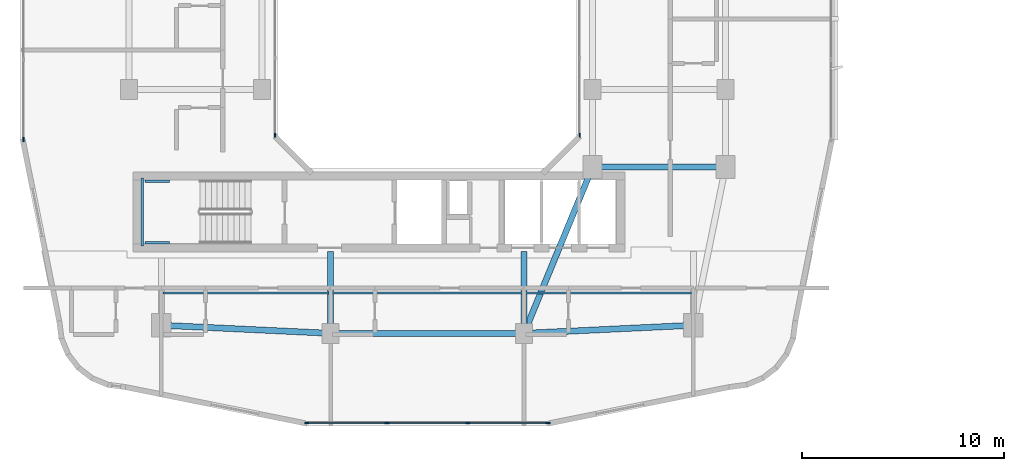
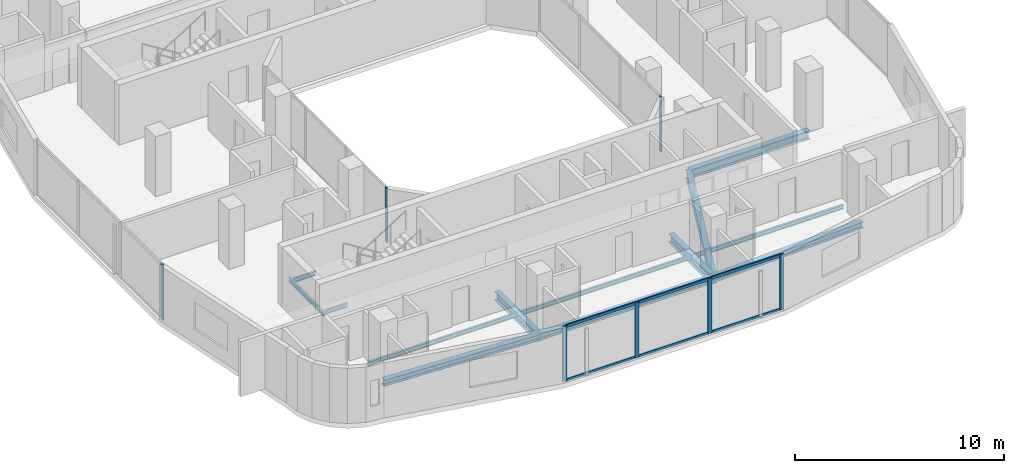
# One storey, part 2 of 26: 13 beams, 13 members, 4 elements without a shape of their own.
"""IFC4 building model written with IfcOpenShell, lengths in metres."""

from ifc_helpers import new_model, si_unit, derived_unit, direction, frame, origin, origin_2d, place, context, subcontext, project, spatial, rectangle, i_section, extrude, material, layer, layer_set, material_profile, profile_set, type_object, element, aggregate, save


model = new_model("IFC4")

# Units and contexts
model_context = context("Model", 3, precision=1e-05, world=origin(), true_north=direction((0.0, 1.0)))
body_context = subcontext(model_context, "Body", "Model", "MODEL_VIEW")
ifc_project = project(units=[si_unit("LENGTHUNIT", "METRE"), si_unit("AREAUNIT", "SQUARE_METRE"), si_unit("VOLUMEUNIT", "CUBIC_METRE"), si_unit("PLANEANGLEUNIT", "RADIAN"), si_unit("MASSUNIT", "GRAM", prefix="KILO"), derived_unit("THERMALTRANSMITTANCEUNIT", [(si_unit("POWERUNIT", "WATT"), 1), (si_unit("LENGTHUNIT", "METRE"), -2), (si_unit("THERMODYNAMICTEMPERATUREUNIT", "KELVIN"), -1)])], contexts=[model_context])

# Site, building, storey
site_placement = place(None, origin())
site = spatial("IfcSite", under=ifc_project, at=site_placement, CompositionType="ELEMENT")
building_placement = place(site_placement, origin())
building = spatial("IfcBuilding", under=site, at=building_placement, Name="Kivonza Crest Hotel", CompositionType="ELEMENT")
storey_placement = place(building_placement, frame((0.0, 0.0, 127.5)))
storey = spatial("IfcBuildingStorey", under=building, at=storey_placement, Name="L34", CompositionType="ELEMENT", Elevation=127.5)

# Beams
ifc_material_1 = material(Name="Steel S355", Category="steel")
ifc_material_profile_1 = material_profile(ifc_material_1, i_section(OverallWidth=0.300048828125, OverallDepth=0.360107421875, WebThickness=0.012451171875, FlangeThickness=0.0224609375, FilletRadius=0.027099609375, at=origin_2d()), Name="HEB 360")
ifc_profile_set_1 = profile_set([ifc_material_profile_1], Name="Steel S355")
beam_type_1 = type_object("IfcBeamType", Name="BM-HEB360", PredefinedType="SPANDREL", material=ifc_profile_set_1)
beam_1_placement = place(storey_placement, frame((16.199951171875, 9.39990234375, -0.4599609375), z_axis=(1.0, 0.0, 0.0), x_axis=(0.0, 1.0, 0.0)))
element("IfcBeam", 1, at=beam_1_placement, inside=storey, type_object=beam_type_1, Name="Tower T1 L34 perimeter spandrel S1-S2", PredefinedType="SPANDREL", context=body_context, shape_type="SweptSolid", body=[
    extrude(i_section(OverallWidth=0.300048828125, OverallDepth=0.360107421875, WebThickness=0.012451171875, FlangeThickness=0.0224609375, FilletRadius=0.027099609375, at=origin_2d()), origin(), (0.0, 0.0, 1.0), 9.60009765625),
])
for number, where, z_axis, x_axis, name in (
    (2, (25.800048828125, 9.39990234375, -0.4599609375), (0.998867283688, 0.047583080799, 0.0), (-0.047583080799, 0.998867283688, 0.0), "Tower T1 L34 perimeter spandrel S2-SE"),
    (3, (7.800048828125, 9.800048828125, -0.4599609375), (0.998867283688, -0.047583080799, 0.0), (0.047583080799, 0.998867283688, 0.0), "Tower T1 L34 perimeter spandrel SW-S1"),
):
    element("IfcBeam", number, at=place(storey_placement, frame(where, z_axis=z_axis, x_axis=x_axis)), inside=storey, type_object=beam_type_1, Name=name, PredefinedType="SPANDREL", context=body_context, shape_type="SweptSolid", body=[
        extrude(i_section(OverallWidth=0.300048828125, OverallDepth=0.360107421875, WebThickness=0.012451171875, FlangeThickness=0.0224609375, FilletRadius=0.027099609375, at=origin_2d()), origin(), (0.0, 0.0, 1.0), 8.409423828125),
    ])
ifc_material_profile_2 = material_profile(ifc_material_1, i_section(OverallWidth=0.300048828125, OverallDepth=0.5, WebThickness=0.014404296875, FlangeThickness=0.028076171875, FilletRadius=0.027099609375, at=origin_2d()), Name="HEB 500")
ifc_profile_set_2 = profile_set([ifc_material_profile_2], Name="Steel S355")
beam_type_2 = type_object("IfcBeamType", Name="BM-HEB500", PredefinedType="BEAM", material=ifc_profile_set_2)
beam_2_placement = place(storey_placement, frame((25.800048828125, 9.39990234375, -0.530029296875), z_axis=(0.381022260404, 0.924565864109, 0.0), x_axis=(-0.924565864109, 0.381022260404, 0.0)))
element("IfcBeam", 4, at=beam_2_placement, inside=storey, type_object=beam_type_2, Name="Tower T1 L34 primary girder S1-TSE", PredefinedType="BEAM", context=body_context, shape_type="SweptSolid", body=[
    extrude(i_section(OverallWidth=0.300048828125, OverallDepth=0.5, WebThickness=0.014404296875, FlangeThickness=0.028076171875, FilletRadius=0.027099609375, at=origin_2d()), origin(), (0.0, 0.0, 1.0), 8.923095703125),
])
beam_3_placement = place(storey_placement, frame((29.199951171875, 17.64990234375, -0.530029296875), z_axis=(1.0, 0.0, 0.0), x_axis=(0.0, 1.0, 0.0)))
element("IfcBeam", 5, at=beam_3_placement, inside=storey, type_object=beam_type_2, Name="Tower T1 L34 primary girder TSE-PSE", PredefinedType="BEAM", context=body_context, shape_type="SweptSolid", body=[
    extrude(i_section(OverallWidth=0.300048828125, OverallDepth=0.5, WebThickness=0.014404296875, FlangeThickness=0.028076171875, FilletRadius=0.027099609375, at=origin_2d()), origin(), (0.0, 0.0, 1.0), 6.60009765625),
])
for number, where, z_axis, x_axis, name in (
    (6, (16.199951171875, 9.39990234375, -0.530029296875), (0.0, 1.0, 0.0), (-1.0, 0.0, 0.0), "Tower T1 L34 radial core girder RS1"),
    (7, (25.800048828125, 9.39990234375, -0.530029296875), (0.0, 1.0, 0.0), (-1.0, 0.0, 0.0), "Tower T1 L34 radial core girder RS2"),
):
    element("IfcBeam", number, at=place(storey_placement, frame(where, z_axis=z_axis, x_axis=x_axis)), inside=storey, type_object=beam_type_2, Name=name, PredefinedType="BEAM", context=body_context, shape_type="SweptSolid", body=[
        extrude(i_section(OverallWidth=0.300048828125, OverallDepth=0.5, WebThickness=0.014404296875, FlangeThickness=0.028076171875, FilletRadius=0.027099609375, at=origin_2d()), origin(), (0.0, 0.0, 1.0), 4.050048828125),
    ])
ifc_material_profile_3 = material_profile(ifc_material_1, i_section(OverallWidth=0.1201171875, OverallDepth=0.239990234375, WebThickness=0.006103515625, FlangeThickness=0.009765625, FilletRadius=0.014892578125, at=origin_2d()), Name="IPE 240")
ifc_profile_set_3 = profile_set([ifc_material_profile_3], Name="Steel S355")
beam_type_3 = type_object("IfcBeamType", Name="BM-IPE240", PredefinedType="JOIST", material=ifc_profile_set_3)
beam_4_placement = place(storey_placement, frame((7.8798828125, 11.39990234375, -0.39990234375), z_axis=(1.0, 0.0, 0.0), x_axis=(0.0, 1.0, 0.0)))
element("IfcBeam", 8, at=beam_4_placement, inside=storey, type_object=beam_type_3, Name="Tower T1 L34 South-West floor joist", PredefinedType="JOIST", context=body_context, shape_type="SweptSolid", body=[
    extrude(i_section(OverallWidth=0.1201171875, OverallDepth=0.239990234375, WebThickness=0.006103515625, FlangeThickness=0.009765625, FilletRadius=0.014892578125, at=origin_2d()), origin(), (0.0, 0.0, 1.0), 8.240234375),
])
beam_5_placement = place(storey_placement, frame((16.280029296875, 11.39990234375, -0.39990234375), z_axis=(1.0, 0.0, 0.0), x_axis=(0.0, 1.0, 0.0)))
element("IfcBeam", 9, at=beam_5_placement, inside=storey, type_object=beam_type_3, Name="Tower T1 L34 South-Mid floor joist", PredefinedType="JOIST", context=body_context, shape_type="SweptSolid", body=[
    extrude(i_section(OverallWidth=0.1201171875, OverallDepth=0.239990234375, WebThickness=0.006103515625, FlangeThickness=0.009765625, FilletRadius=0.014892578125, at=origin_2d()), origin(), (0.0, 0.0, 1.0), 9.43994140625),
])
beam_6_placement = place(storey_placement, frame((25.8798828125, 11.39990234375, -0.39990234375), z_axis=(1.0, 0.0, 0.0), x_axis=(0.0, 1.0, 0.0)))
element("IfcBeam", 10, at=beam_6_placement, inside=storey, type_object=beam_type_3, Name="Tower T1 L34 South-East floor joist", PredefinedType="JOIST", context=body_context, shape_type="SweptSolid", body=[
    extrude(i_section(OverallWidth=0.1201171875, OverallDepth=0.239990234375, WebThickness=0.006103515625, FlangeThickness=0.009765625, FilletRadius=0.014892578125, at=origin_2d()), origin(), (0.0, 0.0, 1.0), 8.240234375),
])
ifc_material_profile_4 = material_profile(ifc_material_1, i_section(OverallWidth=0.1201171875, OverallDepth=0.239990234375, WebThickness=0.006103515625, FlangeThickness=0.009765625, FilletRadius=0.014892578125, at=origin_2d()), Name="IPE 240")
ifc_profile_set_4 = profile_set([ifc_material_profile_4], Name="Steel S355")
beam_type_4 = type_object("IfcBeamType", Name="BM-LLDG-240", PredefinedType="BEAM", material=ifc_profile_set_4)
beam_7_placement = place(storey_placement, frame((6.860107421875, 13.739990234375, 1.429931640625), z_axis=(0.0, 1.0, 0.0), x_axis=(-1.0, 0.0, 0.0)))
element("IfcBeam", 11, at=beam_7_placement, inside=storey, type_object=beam_type_4, Name="Stair ST-T1-S L34 West landing corbel", PredefinedType="BEAM", context=body_context, shape_type="SweptSolid", body=[
    extrude(i_section(OverallWidth=0.1201171875, OverallDepth=0.239990234375, WebThickness=0.006103515625, FlangeThickness=0.009765625, FilletRadius=0.014892578125, at=origin_2d()), origin(), (0.0, 0.0, 1.0), 3.360107421875),
])
for number, where, z_axis, x_axis, name in (
    (12, (6.989990234375, 13.89990234375, 1.429931640625), (1.0, 0.0, 0.0), (0.0, 1.0, 0.0), "Stair ST-T1-S L34 South landing corbel"),
    (13, (6.989990234375, 16.93994140625, 1.429931640625), (1.0, 0.0, 0.0), (0.0, 1.0, 0.0), "Stair ST-T1-S L34 North landing corbel"),
):
    element("IfcBeam", number, at=place(storey_placement, frame(where, z_axis=z_axis, x_axis=x_axis)), inside=storey, type_object=beam_type_4, Name=name, PredefinedType="BEAM", context=body_context, shape_type="SweptSolid", body=[
        extrude(i_section(OverallWidth=0.1201171875, OverallDepth=0.239990234375, WebThickness=0.006103515625, FlangeThickness=0.009765625, FilletRadius=0.014892578125, at=origin_2d()), origin(), (0.0, 0.0, 1.0), 1.2099609375),
    ])

# Curtain wall, member
ifc_material_2 = material(Name="Anodised bronze aluminium and low-E double glazing", Category="aluminium")
ifc_layer_1 = layer(ifc_material_2, 0.159912109375)
ifc_layer_set_1 = layer_set([ifc_layer_1], Name="Anodised bronze aluminium and low-E double glazing")
curtain_wall_type_1 = type_object("IfcCurtainWallType", Name="CW-SYS-5", PredefinedType="NOTDEFINED", material=ifc_layer_set_1)
curtain_wall_1_placement = place(storey_placement, origin())
curtain_wall_1 = element("IfcCurtainWall", 14, at=curtain_wall_1_placement, inside=storey, type_object=curtain_wall_type_1, Name="L34 unitised curtain wall CW-WELL-T1-L34-3", PredefinedType="NOTDEFINED")
ifc_material_3 = material(Name="Anodised bronze aluminium", Category="aluminium")
ifc_material_profile_5 = material_profile(ifc_material_3, rectangle(XDim=0.06494140625, YDim=0.179931640625, at=origin_2d()), Name="CW-M 65x180")
ifc_profile_set_5 = profile_set([ifc_material_profile_5], Name="Anodised bronze aluminium")
member_type_1 = type_object("IfcMemberType", Name="CW-MUL-65x180", PredefinedType="MULLION", material=ifc_profile_set_5)
member_1_placement = place(storey_placement, frame((28.56005859375, 19.232421875, 0.0), z_axis=(0.0, 0.0, 1.0), x_axis=(-1.0, 0.0, 0.0)))
member_1 = element("IfcMember", 15, at=member_1_placement, type_object=member_type_1, Name="CW-5 mullion 1", PredefinedType="MULLION", context=body_context, shape_type="SweptSolid", body=[
    extrude(rectangle(XDim=0.06494140625, YDim=0.179931640625, at=origin_2d()), origin(), (0.0, 0.0, 1.0), 3.219970703125),
])
aggregate(curtain_wall_1, [member_1])

curtain_wall_2_placement = place(storey_placement, origin())
curtain_wall_2 = element("IfcCurtainWall", 16, at=curtain_wall_2_placement, inside=storey, type_object=curtain_wall_type_1, Name="L34 unitised curtain wall CW-WELL-T1-L34-7", PredefinedType="NOTDEFINED")
member_2_placement = place(storey_placement, frame((13.43994140625, 19.232421875, 0.0), z_axis=(0.0, 0.0, 1.0), x_axis=(1.0, 0.0, 0.0)))
member_2 = element("IfcMember", 17, at=member_2_placement, type_object=member_type_1, Name="CW-5 mullion 4", PredefinedType="MULLION", context=body_context, shape_type="SweptSolid", body=[
    extrude(rectangle(XDim=0.06494140625, YDim=0.179931640625, at=origin_2d()), origin(), (0.0, 0.0, 1.0), 3.219970703125),
])
aggregate(curtain_wall_2, [member_2])

# Curtain wall, members
ifc_layer_2 = layer(ifc_material_2, 0.179931640625)
ifc_layer_set_2 = layer_set([ifc_layer_2], Name="Anodised bronze aluminium and low-E double glazing")
curtain_wall_type_2 = type_object("IfcCurtainWallType", Name="CW-SYS-3", PredefinedType="NOTDEFINED", material=ifc_layer_set_2)
curtain_wall_3_placement = place(storey_placement, origin())
curtain_wall_3 = element("IfcCurtainWall", 18, at=curtain_wall_3_placement, inside=storey, type_object=curtain_wall_type_2, Name="L34 unitised curtain wall CW-T1-L34-08", PredefinedType="NOTDEFINED")
ifc_material_profile_6 = material_profile(ifc_material_3, rectangle(XDim=0.074951171875, YDim=0.219970703125, at=origin_2d()), Name="CW-M 75x220")
ifc_profile_set_6 = profile_set([ifc_material_profile_6], Name="Anodised bronze aluminium")
member_type_2 = type_object("IfcMemberType", Name="CW-MUL-75x220", PredefinedType="MULLION", material=ifc_profile_set_6)
member_3_placement = place(storey_placement, frame((15.017578125, 4.9599609375, 0.0), z_axis=(0.0, 0.0, 1.0), x_axis=(0.0, 1.0, 0.0)))
member_3 = element("IfcMember", 19, at=member_3_placement, type_object=member_type_2, Name="CW-3 mullion 1", PredefinedType="MULLION", context=body_context, shape_type="SweptSolid", body=[
    extrude(rectangle(XDim=0.074951171875, YDim=0.219970703125, at=origin_2d()), origin(), (0.0, 0.0, 1.0), 3.219970703125),
])
member_4_placement = place(storey_placement, frame((18.993408203125, 4.9599609375, 0.0), z_axis=(0.0, 0.0, 1.0), x_axis=(0.0, 1.0, 0.0)))
member_4 = element("IfcMember", 20, at=member_4_placement, type_object=member_type_2, Name="CW-3 mullion 2", PredefinedType="MULLION", context=body_context, shape_type="SweptSolid", body=[
    extrude(rectangle(XDim=0.074951171875, YDim=0.219970703125, at=origin_2d()), origin(), (0.0, 0.0, 1.0), 3.219970703125),
])
member_5_placement = place(storey_placement, frame((23.006591796875, 4.9599609375, 0.0), z_axis=(0.0, 0.0, 1.0), x_axis=(0.0, 1.0, 0.0)))
member_5 = element("IfcMember", 21, at=member_5_placement, type_object=member_type_2, Name="CW-3 mullion 3", PredefinedType="MULLION", context=body_context, shape_type="SweptSolid", body=[
    extrude(rectangle(XDim=0.074951171875, YDim=0.219970703125, at=origin_2d()), origin(), (0.0, 0.0, 1.0), 3.219970703125),
])
member_6_placement = place(storey_placement, frame((26.982421875, 4.9599609375, 0.0), z_axis=(0.0, 0.0, 1.0), x_axis=(0.0, 1.0, 0.0)))
member_6 = element("IfcMember", 22, at=member_6_placement, type_object=member_type_2, Name="CW-3 mullion 4", PredefinedType="MULLION", context=body_context, shape_type="SweptSolid", body=[
    extrude(rectangle(XDim=0.074951171875, YDim=0.219970703125, at=origin_2d()), origin(), (0.0, 0.0, 1.0), 3.219970703125),
])

# Curtain wall, member
curtain_wall_4_placement = place(storey_placement, origin())
curtain_wall_4 = element("IfcCurtainWall", 23, at=curtain_wall_4_placement, inside=storey, type_object=curtain_wall_type_2, Name="L34 unitised curtain wall CW-T1-L34-35", PredefinedType="NOTDEFINED")
member_7_placement = place(storey_placement, frame((0.9599609375, 19.017578125, 0.0), z_axis=(0.0, 0.0, 1.0), x_axis=(1.0, 0.0, 0.0)))
member_7 = element("IfcMember", 24, at=member_7_placement, type_object=member_type_2, Name="CW-3 mullion 4", PredefinedType="MULLION", context=body_context, shape_type="SweptSolid", body=[
    extrude(rectangle(XDim=0.074951171875, YDim=0.219970703125, at=origin_2d()), origin(), (0.0, 0.0, 1.0), 3.219970703125),
])
aggregate(curtain_wall_4, [member_7])

# Member
ifc_material_profile_7 = material_profile(ifc_material_3, rectangle(XDim=0.074951171875, YDim=0.159912109375, at=origin_2d()), Name="CW-T 75x160")
ifc_profile_set_7 = profile_set([ifc_material_profile_7], Name="Anodised bronze aluminium")
member_type_3 = type_object("IfcMemberType", Name="CW-TRN-75x160", PredefinedType="USERDEFINED", material=ifc_profile_set_7)
member_8_placement = place(storey_placement, frame((15.054931640625, 4.9599609375, 0.03759765625), z_axis=(1.0, 0.0, 0.0), x_axis=(0.0, 1.0, 0.0)))
member_8 = element("IfcMember", 25, at=member_8_placement, type_object=member_type_3, Name="CW-3 transom 1.1", ObjectType="TRANSOM", PredefinedType="USERDEFINED", context=body_context, shape_type="SweptSolid", body=[
    extrude(rectangle(XDim=0.074951171875, YDim=0.159912109375, at=origin_2d()), origin(), (0.0, 0.0, 1.0), 3.90087890625),
])

member_9_placement = place(storey_placement, frame((15.054931640625, 4.9599609375, 3.1826171875), z_axis=(1.0, 0.0, 0.0), x_axis=(0.0, 1.0, 0.0)))
member_9 = element("IfcMember", 26, at=member_9_placement, type_object=member_type_3, Name="CW-3 transom 1.2", ObjectType="TRANSOM", PredefinedType="USERDEFINED", context=body_context, shape_type="SweptSolid", body=[
    extrude(rectangle(XDim=0.074951171875, YDim=0.159912109375, at=origin_2d()), origin(), (0.0, 0.0, 1.0), 3.90087890625),
])

member_10_placement = place(storey_placement, frame((19.03076171875, 4.9599609375, 0.03759765625), z_axis=(1.0, 0.0, 0.0), x_axis=(0.0, 1.0, 0.0)))
member_10 = element("IfcMember", 27, at=member_10_placement, type_object=member_type_3, Name="CW-3 transom 2.1", ObjectType="TRANSOM", PredefinedType="USERDEFINED", context=body_context, shape_type="SweptSolid", body=[
    extrude(rectangle(XDim=0.074951171875, YDim=0.159912109375, at=origin_2d()), origin(), (0.0, 0.0, 1.0), 3.9384765625),
])

member_11_placement = place(storey_placement, frame((19.03076171875, 4.9599609375, 3.1826171875), z_axis=(1.0, 0.0, 0.0), x_axis=(0.0, 1.0, 0.0)))
member_11 = element("IfcMember", 28, at=member_11_placement, type_object=member_type_3, Name="CW-3 transom 2.2", ObjectType="TRANSOM", PredefinedType="USERDEFINED", context=body_context, shape_type="SweptSolid", body=[
    extrude(rectangle(XDim=0.074951171875, YDim=0.159912109375, at=origin_2d()), origin(), (0.0, 0.0, 1.0), 3.9384765625),
])

member_12_placement = place(storey_placement, frame((23.044189453125, 4.9599609375, 0.03759765625), z_axis=(1.0, 0.0, 0.0), x_axis=(0.0, 1.0, 0.0)))
member_12 = element("IfcMember", 29, at=member_12_placement, type_object=member_type_3, Name="CW-3 transom 3.1", ObjectType="TRANSOM", PredefinedType="USERDEFINED", context=body_context, shape_type="SweptSolid", body=[
    extrude(rectangle(XDim=0.074951171875, YDim=0.159912109375, at=origin_2d()), origin(), (0.0, 0.0, 1.0), 3.90087890625),
])

member_13_placement = place(storey_placement, frame((23.044189453125, 4.9599609375, 3.1826171875), z_axis=(1.0, 0.0, 0.0), x_axis=(0.0, 1.0, 0.0)))
member_13 = element("IfcMember", 30, at=member_13_placement, type_object=member_type_3, Name="CW-3 transom 3.2", ObjectType="TRANSOM", PredefinedType="USERDEFINED", context=body_context, shape_type="SweptSolid", body=[
    extrude(rectangle(XDim=0.074951171875, YDim=0.159912109375, at=origin_2d()), origin(), (0.0, 0.0, 1.0), 3.90087890625),
])

aggregate(curtain_wall_3, [member_3, member_4, member_5, member_6, member_8, member_9, member_10, member_11, member_12, member_13])

save(model, "model.ifc")
